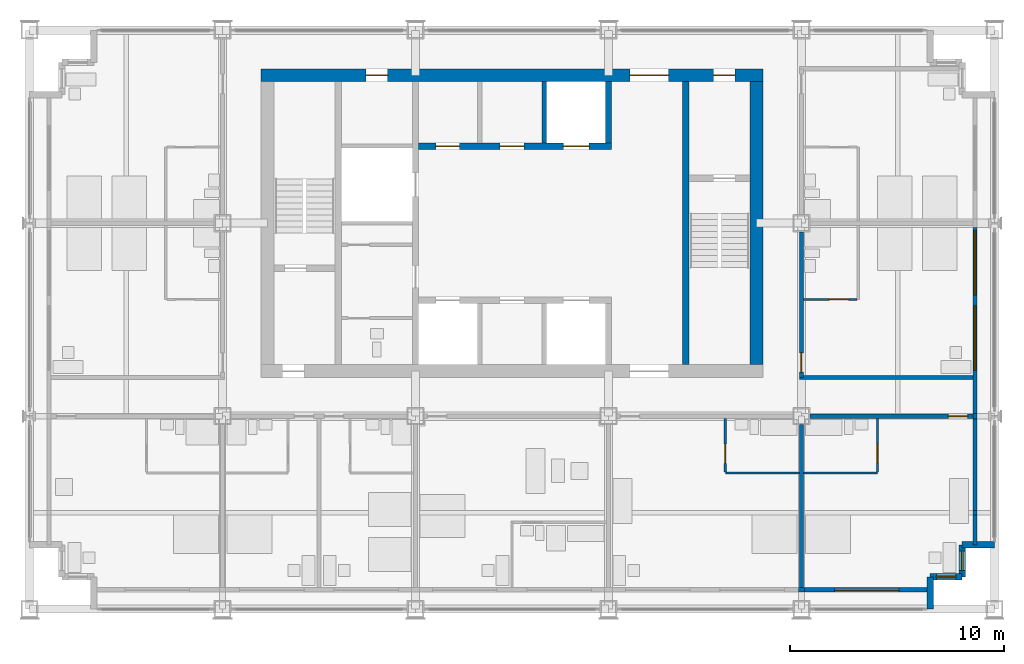
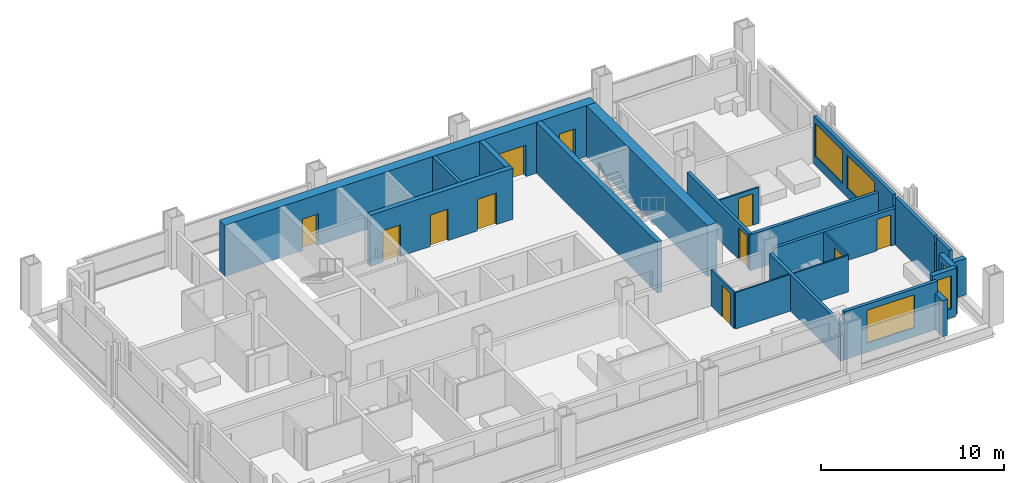
# One storey, part 9 of 13: 26 walls, 11 doors, 5 windows, 16 openings.
"""IFC4 building model written with IfcOpenShell, lengths in metres."""

from ifc_helpers import new_model, si_unit, direction, frame, frame_2d, origin, place, context, subcontext, project, spatial, rectangle, extrude, material, layer, layer_set, type_object, element, fill, save


model = new_model("IFC4")

# Units and contexts
model_context = context("Model", 3, precision=1e-05, world=origin(), true_north=direction((0.0, 1.0)))
body_context = subcontext(model_context, "Body", "Model", "MODEL_VIEW")
ifc_project = project(units=[si_unit("LENGTHUNIT", "METRE"), si_unit("AREAUNIT", "SQUARE_METRE"), si_unit("VOLUMEUNIT", "CUBIC_METRE"), si_unit("PLANEANGLEUNIT", "RADIAN"), si_unit("MASSUNIT", "GRAM", prefix="KILO")], contexts=[model_context])

# Site, building, storey
site_placement = place(None, origin())
site = spatial("IfcSite", under=ifc_project, at=site_placement, CompositionType="ELEMENT")
building_placement = place(site_placement, origin())
building = spatial("IfcBuilding", under=site, at=building_placement, Name="Loomwork Tower", CompositionType="ELEMENT")
storey_placement = place(building_placement, frame((0.0, 0.0, 184.199951171875)))
storey = spatial("IfcBuildingStorey", under=building, at=storey_placement, Name="L50", CompositionType="ELEMENT", Elevation=184.199951171875)

# Wall, openings, doors
ifc_material_1 = material(Name="Concrete 14000 psi (97 MPa)", Category="concrete")
ifc_layer_1 = layer(ifc_material_1, 0.300048828125)
ifc_layer_set_1 = layer_set([ifc_layer_1], Name="Core shear wall 300")
wall_type_1 = type_object("IfcWallType", Name="Core shear wall 300", PredefinedType="SHEAR", material=ifc_layer_set_1)
wall_1_placement = place(storey_placement, frame((18.14990234375, 21.60009765625, 0.0), z_axis=(0.0, 0.0, 1.0), x_axis=(1.0, 0.0, 0.0)))
wall_1 = element("IfcWall", 1, at=wall_1_placement, inside=storey, type_object=wall_type_1, Name="Lift front wall north L50", PredefinedType="SHEAR", context=body_context, shape_type="SweptSolid", body=[
    extrude(rectangle(XDim=9.0, YDim=0.300048828125, at=frame_2d((4.5, 0.0))), origin(), (0.0, 0.0, 1.0), 3.400146484375),
])
opening_1_placement = place(wall_1_placement, frame((6.75, 0.0, 0.0)))
opening_1 = element("IfcOpeningElement", 2, at=opening_1_placement, cuts=wall_1, Name="Opening LD2", PredefinedType="OPENING", context=body_context, shape_type="SweptSolid", body=[
    extrude(rectangle(XDim=1.199951171875, YDim=2.10009765625, at=frame_2d((0.60009765625, 1.050048828125))), frame((0.0, 0.159912109375, 0.0), z_axis=(0.0, -1.0, 0.0), x_axis=(1.0, 0.0, 0.0)), (0.0, 0.0, 1.0), 0.320068359375),
])
opening_2_placement = place(wall_1_placement, frame((0.800048828125, 0.0, 0.0)))
opening_2 = element("IfcOpeningElement", 3, at=opening_2_placement, cuts=wall_1, Name="Opening D17", PredefinedType="OPENING", context=body_context, shape_type="SweptSolid", body=[
    extrude(rectangle(XDim=1.10009765625, YDim=2.10009765625, at=frame_2d((0.550048828125, 1.050048828125))), frame((0.0, 0.159912109375, 0.0), z_axis=(0.0, -1.0, 0.0), x_axis=(1.0, 0.0, 0.0)), (0.0, 0.0, 1.0), 0.320068359375),
])
opening_3_placement = place(wall_1_placement, frame((3.800048828125, 0.0, 0.0)))
opening_3 = element("IfcOpeningElement", 4, at=opening_3_placement, cuts=wall_1, Name="Opening D17", PredefinedType="OPENING", context=body_context, shape_type="SweptSolid", body=[
    extrude(rectangle(XDim=1.10009765625, YDim=2.10009765625, at=frame_2d((0.550048828125, 1.050048828125))), frame((0.0, 0.159912109375, 0.0), z_axis=(0.0, -1.0, 0.0), x_axis=(1.0, 0.0, 0.0)), (0.0, 0.0, 1.0), 0.320068359375),
])
ifc_material_2 = material(Name="Hollow metal door and frame")
door_type_1 = type_object("IfcDoorType", Name="Lift landing door 1200", OperationType="SLIDING_TO_LEFT", PredefinedType="DOOR", material=ifc_material_2)
door_1_placement = place(opening_1_placement, origin())
door_1 = element("IfcDoor", 5, at=door_1_placement, inside=storey, type_object=door_type_1, Name="Lift landing door LF2", OperationType="SLIDING_TO_LEFT", OverallHeight=2.10009765625, OverallWidth=1.199951171875, PredefinedType="DOOR", context=body_context, shape_type="SweptSolid", body=[
    extrude(rectangle(XDim=1.199951171875, YDim=2.10009765625, at=frame_2d((0.60009765625, 1.050048828125))), frame((0.0, 0.02490234375, 0.0), z_axis=(0.0, -1.0, 0.0), x_axis=(1.0, 0.0, 0.0)), (0.0, 0.0, 1.0), 0.050048828125),
])
fill(opening_1, door_1)
ifc_material_3 = material(Name="Hollow metal door and frame")
door_type_2 = type_object("IfcDoorType", Name="Service room door 1100", OperationType="SINGLE_SWING_LEFT", PredefinedType="DOOR", material=ifc_material_3)
door_2_placement = place(opening_2_placement, origin())
door_2 = element("IfcDoor", 6, at=door_2_placement, inside=storey, type_object=door_type_2, Name="Linen and housekeeping store door L50", OperationType="SINGLE_SWING_LEFT", OverallHeight=2.10009765625, OverallWidth=1.10009765625, PredefinedType="DOOR", context=body_context, shape_type="SweptSolid", body=[
    extrude(rectangle(XDim=1.10009765625, YDim=2.10009765625, at=frame_2d((0.550048828125, 1.050048828125))), frame((0.0, 0.02490234375, 0.0), z_axis=(0.0, -1.0, 0.0), x_axis=(1.0, 0.0, 0.0)), (0.0, 0.0, 1.0), 0.050048828125),
])
fill(opening_2, door_2)
door_3_placement = place(opening_3_placement, origin())
door_3 = element("IfcDoor", 7, at=door_3_placement, inside=storey, type_object=door_type_2, Name="IT and communications room door L50", OperationType="SINGLE_SWING_LEFT", OverallHeight=2.10009765625, OverallWidth=1.10009765625, PredefinedType="DOOR", context=body_context, shape_type="SweptSolid", body=[
    extrude(rectangle(XDim=1.10009765625, YDim=2.10009765625, at=frame_2d((0.550048828125, 1.050048828125))), frame((0.0, 0.02490234375, 0.0), z_axis=(0.0, -1.0, 0.0), x_axis=(1.0, 0.0, 0.0)), (0.0, 0.0, 1.0), 0.050048828125),
])
fill(opening_3, door_3)

# Walls
wall_2_placement = place(storey_placement, frame((27.0, 21.75, 0.0), z_axis=(0.0, 0.0, 1.0), x_axis=(0.0, 1.0, 0.0)))
element("IfcWall", 8, at=wall_2_placement, inside=storey, type_object=wall_type_1, Name="Lift shaft end wall north L50", PredefinedType="SHEAR", context=body_context, shape_type="SweptSolid", body=[
    extrude(rectangle(XDim=2.85009765625, YDim=0.300048828125, at=frame_2d((1.425048828125, 0.0))), origin(), (0.0, 0.0, 1.0), 3.400146484375),
])
wall_3_placement = place(storey_placement, frame((30.60009765625, 11.39990234375, 0.0), z_axis=(0.0, 0.0, 1.0), x_axis=(0.0, 1.0, 0.0)))
element("IfcWall", 9, at=wall_3_placement, inside=storey, type_object=wall_type_1, Name="Stair B west wall L50", PredefinedType="SHEAR", context=body_context, shape_type="SweptSolid", body=[
    extrude(rectangle(XDim=13.2001953125, YDim=0.300048828125, at=frame_2d((6.60009765625, 0.0))), origin(), (0.0, 0.0, 1.0), 3.400146484375),
])

# Wall, openings, doors
ifc_material_4 = material(Name="Concrete 14000 psi (97 MPa)", Category="concrete")
ifc_layer_2 = layer(ifc_material_4, 0.60009765625)
ifc_layer_set_2 = layer_set([ifc_layer_2], Name="Core shear wall 600")
wall_type_2 = type_object("IfcWallType", Name="Core shear wall 600", PredefinedType="SHEAR", material=ifc_layer_set_2)
wall_4_placement = place(storey_placement, frame((10.800048828125, 24.89990234375, 0.0), z_axis=(0.0, 0.0, 1.0), x_axis=(1.0, 0.0, 0.0)))
wall_4 = element("IfcWall", 10, at=wall_4_placement, inside=storey, type_object=wall_type_2, Name="Core wall north L50", PredefinedType="SHEAR", context=body_context, shape_type="SweptSolid", body=[
    extrude(rectangle(XDim=23.39990234375, YDim=0.60009765625, at=frame_2d((11.699951171875, 0.0))), origin(), (0.0, 0.0, 1.0), 3.400146484375),
])
opening_4_placement = place(wall_4_placement, frame((17.199951171875, 0.0, 0.0)))
opening_4 = element("IfcOpeningElement", 11, at=opening_4_placement, cuts=wall_4, Name="Opening D6", PredefinedType="OPENING", context=body_context, shape_type="SweptSolid", body=[
    extrude(rectangle(XDim=1.800048828125, YDim=2.10009765625, at=frame_2d((0.89990234375, 1.050048828125))), frame((0.0, 0.31005859375, 0.0), z_axis=(0.0, -1.0, 0.0), x_axis=(1.0, 0.0, 0.0)), (0.0, 0.0, 1.0), 0.6201171875),
])
opening_5_placement = place(wall_4_placement, frame((21.10009765625, 0.0, 0.0)))
opening_5 = element("IfcOpeningElement", 12, at=opening_5_placement, cuts=wall_4, Name="Opening D4", PredefinedType="OPENING", context=body_context, shape_type="SweptSolid", body=[
    extrude(rectangle(XDim=1.0, YDim=2.10009765625, at=frame_2d((0.5, 1.050048828125))), frame((0.0, 0.31005859375, 0.0), z_axis=(0.0, -1.0, 0.0), x_axis=(1.0, 0.0, 0.0)), (0.0, 0.0, 1.0), 0.6201171875),
])
opening_6_placement = place(wall_4_placement, frame((4.89990234375, 0.0, 0.0)))
opening_6 = element("IfcOpeningElement", 13, at=opening_6_placement, cuts=wall_4, Name="Opening D5", PredefinedType="OPENING", context=body_context, shape_type="SweptSolid", body=[
    extrude(rectangle(XDim=1.0, YDim=2.10009765625, at=frame_2d((0.5, 1.050048828125))), frame((0.0, 0.31005859375, 0.0), z_axis=(0.0, -1.0, 0.0), x_axis=(1.0, 0.0, 0.0)), (0.0, 0.0, 1.0), 0.6201171875),
])
ifc_material_5 = material(Name="Hollow metal door and frame")
door_type_3 = type_object("IfcDoorType", Name="Lobby passage double door 1800", OperationType="DOUBLE_DOOR_SINGLE_SWING", PredefinedType="DOOR", material=ifc_material_5)
door_4_placement = place(opening_4_placement, frame((1.800048828125, 0.0, 0.0), z_axis=(0.0, 0.0, 1.0), x_axis=(-1.0, 0.0, 0.0)))
door_4 = element("IfcDoor", 14, at=door_4_placement, inside=storey, type_object=door_type_3, Name="Lobby passage door north", OperationType="DOUBLE_DOOR_SINGLE_SWING", OverallHeight=2.10009765625, OverallWidth=1.800048828125, PredefinedType="DOOR", context=body_context, shape_type="SweptSolid", body=[
    extrude(rectangle(XDim=1.800048828125, YDim=2.10009765625, at=frame_2d((0.89990234375, 1.050048828125))), frame((0.0, 0.02490234375, 0.0), z_axis=(0.0, -1.0, 0.0), x_axis=(1.0, 0.0, 0.0)), (0.0, 0.0, 1.0), 0.050048828125),
])
fill(opening_4, door_4)
ifc_material_6 = material(Name="Hollow metal door and frame")
door_type_4 = type_object("IfcDoorType", Name="Service door 1000", OperationType="SINGLE_SWING_LEFT", PredefinedType="DOOR", material=ifc_material_6)
door_5_placement = place(opening_6_placement, frame((1.0, 0.0, 0.0), z_axis=(0.0, 0.0, 1.0), x_axis=(-1.0, 0.0, 0.0)))
door_5 = element("IfcDoor", 15, at=door_5_placement, inside=storey, type_object=door_type_4, Name="Back-of-house door north", OperationType="SINGLE_SWING_LEFT", OverallHeight=2.10009765625, OverallWidth=1.0, PredefinedType="DOOR", context=body_context, shape_type="SweptSolid", body=[
    extrude(rectangle(XDim=1.0, YDim=2.10009765625, at=frame_2d((0.5, 1.050048828125))), frame((0.0, 0.02490234375, 0.0), z_axis=(0.0, -1.0, 0.0), x_axis=(1.0, 0.0, 0.0)), (0.0, 0.0, 1.0), 0.050048828125),
])
fill(opening_6, door_5)
ifc_material_7 = material(Name="Hollow metal door and frame")
door_type_5 = type_object("IfcDoorType", Name="Stair door 1000", OperationType="SINGLE_SWING_RIGHT", PredefinedType="DOOR", material=ifc_material_7)
door_6_placement = place(opening_5_placement, frame((1.0, 0.0, 0.0), z_axis=(0.0, 0.0, 1.0), x_axis=(-1.0, 0.0, 0.0)))
door_6 = element("IfcDoor", 16, at=door_6_placement, inside=storey, type_object=door_type_5, Name="Stair B vestibule door", OperationType="SINGLE_SWING_LEFT", OverallHeight=2.10009765625, OverallWidth=1.0, PredefinedType="DOOR", context=body_context, shape_type="SweptSolid", body=[
    extrude(rectangle(XDim=1.0, YDim=2.10009765625, at=frame_2d((0.5, 1.050048828125))), frame((0.0, 0.02490234375, 0.0), z_axis=(0.0, -1.0, 0.0), x_axis=(1.0, 0.0, 0.0)), (0.0, 0.0, 1.0), 0.050048828125),
])
fill(opening_5, door_6)

# Wall
wall_5_placement = place(storey_placement, frame((33.89990234375, 11.39990234375, 0.0), z_axis=(0.0, 0.0, 1.0), x_axis=(0.0, 1.0, 0.0)))
element("IfcWall", 17, at=wall_5_placement, inside=storey, type_object=wall_type_2, Name="Core wall east L50", PredefinedType="SHEAR", context=body_context, shape_type="SweptSolid", body=[
    extrude(rectangle(XDim=13.2001953125, YDim=0.60009765625, at=frame_2d((6.60009765625, 0.0))), origin(), (0.0, 0.0, 1.0), 3.400146484375),
])

# Wall, opening, door
ifc_material_8 = material(Name="Gypsum board on steel studs, one-hour", Category="steel")
ifc_layer_3 = layer(ifc_material_8, 0.199951171875)
ifc_layer_set_3 = layer_set([ifc_layer_3], Name="Corridor wall 200")
wall_type_3 = type_object("IfcWallType", Name="Corridor wall 200", PredefinedType="PARTITIONING", material=ifc_layer_set_3)
wall_6_placement = place(storey_placement, frame((36.39990234375, 9.0, 0.0), z_axis=(0.0, 0.0, 1.0), x_axis=(1.0, 0.0, 0.0)))
wall_6 = element("IfcWall", 18, at=wall_6_placement, inside=storey, type_object=wall_type_3, Name="South corridor wall 5", PredefinedType="PARTITIONING", context=body_context, shape_type="SweptSolid", body=[
    extrude(rectangle(XDim=7.60009765625, YDim=0.199951171875, at=frame_2d((3.800048828125, 0.0))), origin(), (0.0, 0.0, 1.0), 2.43798828125),
])
opening_7_placement = place(wall_6_placement, frame((6.449951171875, 0.0, 0.0)))
opening_7 = element("IfcOpeningElement", 19, at=opening_7_placement, cuts=wall_6, Name="Opening D1", PredefinedType="OPENING", context=body_context, shape_type="SweptSolid", body=[
    extrude(rectangle(XDim=0.89990234375, YDim=2.10009765625, at=frame_2d((0.449951171875, 1.050048828125))), frame((0.0, 0.10986328125, 0.0), z_axis=(0.0, -1.0, 0.0), x_axis=(1.0, 0.0, 0.0)), (0.0, 0.0, 1.0), 0.219970703125),
])
ifc_material_9 = material(Name="Hollow metal door and frame")
door_type_6 = type_object("IfcDoorType", Name="Guest room entry door 900", OperationType="SINGLE_SWING_LEFT", PredefinedType="DOOR", material=ifc_material_9)
door_7_placement = place(opening_7_placement, frame((0.89990234375, 0.0, 0.0), z_axis=(0.0, 0.0, 1.0), x_axis=(-1.0, 0.0, 0.0)))
door_7 = element("IfcDoor", 20, at=door_7_placement, inside=storey, type_object=door_type_6, Name="Guest room entry door L50 6", OperationType="SINGLE_SWING_LEFT", OverallHeight=2.10009765625, OverallWidth=0.89990234375, PredefinedType="DOOR", context=body_context, shape_type="SweptSolid", body=[
    extrude(rectangle(XDim=0.89990234375, YDim=2.10009765625, at=frame_2d((0.449951171875, 1.050048828125))), frame((0.0, 0.02490234375, 0.0), z_axis=(0.0, -1.0, 0.0), x_axis=(1.0, 0.0, 0.0)), (0.0, 0.0, 1.0), 0.050048828125),
])
fill(opening_7, door_7)

wall_7_placement = place(storey_placement, frame((36.0, 10.800048828125, 0.0), z_axis=(0.0, 0.0, 1.0), x_axis=(0.0, 1.0, 0.0)))
wall_7 = element("IfcWall", 21, at=wall_7_placement, inside=storey, type_object=wall_type_3, Name="East corridor wall 1", PredefinedType="PARTITIONING", context=body_context, shape_type="SweptSolid", body=[
    extrude(rectangle(XDim=6.800048828125, YDim=0.199951171875, at=frame_2d((3.39990234375, 0.0))), origin(), (0.0, 0.0, 1.0), 2.405029296875),
])
opening_8_placement = place(wall_7_placement, frame((0.25, 0.0, 0.0)))
opening_8 = element("IfcOpeningElement", 22, at=opening_8_placement, cuts=wall_7, Name="Opening D1", PredefinedType="OPENING", context=body_context, shape_type="SweptSolid", body=[
    extrude(rectangle(XDim=0.89990234375, YDim=2.10009765625, at=frame_2d((0.449951171875, 1.050048828125))), frame((0.0, 0.10986328125, 0.0), z_axis=(0.0, -1.0, 0.0), x_axis=(1.0, 0.0, 0.0)), (0.0, 0.0, 1.0), 0.219970703125),
])
door_8_placement = place(opening_8_placement, frame((0.89990234375, 0.0, 0.0), z_axis=(0.0, 0.0, 1.0), x_axis=(-1.0, 0.0, 0.0)))
door_8 = element("IfcDoor", 23, at=door_8_placement, inside=storey, type_object=door_type_6, Name="Guest room entry door L50 9", OperationType="SINGLE_SWING_RIGHT", OverallHeight=2.10009765625, OverallWidth=0.89990234375, PredefinedType="DOOR", context=body_context, shape_type="SweptSolid", body=[
    extrude(rectangle(XDim=0.89990234375, YDim=2.10009765625, at=frame_2d((0.449951171875, 1.050048828125))), frame((0.0, 0.02490234375, 0.0), z_axis=(0.0, -1.0, 0.0), x_axis=(1.0, 0.0, 0.0)), (0.0, 0.0, 1.0), 0.050048828125),
])
fill(opening_8, door_8)

# Walls
wall_8_placement = place(storey_placement, frame((35.89990234375, 10.800048828125, 0.0), z_axis=(0.0, 0.0, 1.0), x_axis=(1.0, 0.0, 0.0)))
element("IfcWall", 24, at=wall_8_placement, inside=storey, type_object=wall_type_3, Name="East band end wall S", PredefinedType="PARTITIONING", context=body_context, shape_type="SweptSolid", body=[
    extrude(rectangle(XDim=8.10009765625, YDim=0.199951171875, at=frame_2d((4.050048828125, 0.0))), origin(), (0.0, 0.0, 1.0), 2.404052734375),
])
ifc_material_10 = material(Name="Cement board on steel studs", Category="steel")
ifc_layer_4 = layer(ifc_material_10, 0.10009765625)
ifc_layer_set_4 = layer_set([ifc_layer_4], Name="En-suite partition 100")
wall_type_4 = type_object("IfcWallType", Name="En-suite partition 100", PredefinedType="PARTITIONING", material=ifc_layer_set_4)
wall_9_placement = place(storey_placement, frame((32.449951171875, 6.35009765625, 0.0), z_axis=(0.0, 0.0, 1.0), x_axis=(1.0, 0.0, 0.0)))
element("IfcWall", 25, at=wall_9_placement, inside=storey, type_object=wall_type_4, Name="En-suite wall L50 room 5", PredefinedType="PARTITIONING", context=body_context, shape_type="SweptSolid", body=[
    extrude(rectangle(XDim=3.449951171875, YDim=0.10009765625, at=frame_2d((1.72509765625, 0.0))), origin(), (0.0, 0.0, 1.0), 2.43798828125),
])

# Wall, opening, door
wall_10_placement = place(storey_placement, frame((32.449951171875, 8.89990234375, 0.0), z_axis=(0.0, 0.0, 1.0), x_axis=(0.0, -1.0, 0.0)))
wall_10 = element("IfcWall", 26, at=wall_10_placement, inside=storey, type_object=wall_type_4, Name="En-suite side wall L50 room 5", PredefinedType="PARTITIONING", context=body_context, shape_type="SweptSolid", body=[
    extrude(rectangle(XDim=2.5, YDim=0.10009765625, at=frame_2d((1.25, 0.0))), origin(), (0.0, 0.0, 1.0), 2.404052734375),
])
opening_9_placement = place(wall_10_placement, frame((1.199951171875, 0.0, 0.0)))
opening_9 = element("IfcOpeningElement", 27, at=opening_9_placement, cuts=wall_10, Name="Opening D2", PredefinedType="OPENING", context=body_context, shape_type="SweptSolid", body=[
    extrude(rectangle(XDim=0.89990234375, YDim=2.10009765625, at=frame_2d((0.449951171875, 1.050048828125))), frame((0.0, 0.06005859375, 0.0), z_axis=(0.0, -1.0, 0.0), x_axis=(1.0, 0.0, 0.0)), (0.0, 0.0, 1.0), 0.1201171875),
])
ifc_material_11 = material(Name="Hollow metal door and frame")
door_type_7 = type_object("IfcDoorType", Name="En-suite door 900", OperationType="SINGLE_SWING_LEFT", PredefinedType="DOOR", material=ifc_material_11)
door_9_placement = place(opening_9_placement, origin())
door_9 = element("IfcDoor", 28, at=door_9_placement, inside=storey, type_object=door_type_7, Name="En-suite door room 5", OperationType="SINGLE_SWING_RIGHT", OverallHeight=2.10009765625, OverallWidth=0.89990234375, PredefinedType="DOOR", context=body_context, shape_type="SweptSolid", body=[
    extrude(rectangle(XDim=0.89990234375, YDim=2.10009765625, at=frame_2d((0.449951171875, 1.050048828125))), frame((0.0, 0.02490234375, 0.0), z_axis=(0.0, -1.0, 0.0), x_axis=(1.0, 0.0, 0.0)), (0.0, 0.0, 1.0), 0.050048828125),
])
fill(opening_9, door_9)

# Wall
wall_11_placement = place(storey_placement, frame((36.10009765625, 6.35009765625, 0.0), z_axis=(0.0, 0.0, 1.0), x_axis=(1.0, 0.0, 0.0)))
element("IfcWall", 29, at=wall_11_placement, inside=storey, type_object=wall_type_4, Name="En-suite wall L50 room 6", PredefinedType="PARTITIONING", context=body_context, shape_type="SweptSolid", body=[
    extrude(rectangle(XDim=3.449951171875, YDim=0.10009765625, at=frame_2d((1.72509765625, 0.0))), origin(), (0.0, 0.0, 1.0), 2.43798828125),
])

# Wall, opening, door
wall_12_placement = place(storey_placement, frame((39.550048828125, 8.89990234375, 0.0), z_axis=(0.0, 0.0, 1.0), x_axis=(0.0, -1.0, 0.0)))
wall_12 = element("IfcWall", 30, at=wall_12_placement, inside=storey, type_object=wall_type_4, Name="En-suite side wall L50 room 6", PredefinedType="PARTITIONING", context=body_context, shape_type="SweptSolid", body=[
    extrude(rectangle(XDim=2.5, YDim=0.10009765625, at=frame_2d((1.25, 0.0))), origin(), (0.0, 0.0, 1.0), 2.43798828125),
])
opening_10_placement = place(wall_12_placement, frame((1.199951171875, 0.0, 0.0)))
opening_10 = element("IfcOpeningElement", 31, at=opening_10_placement, cuts=wall_12, Name="Opening D2", PredefinedType="OPENING", context=body_context, shape_type="SweptSolid", body=[
    extrude(rectangle(XDim=0.89990234375, YDim=2.10009765625, at=frame_2d((0.449951171875, 1.050048828125))), frame((0.0, 0.06005859375, 0.0), z_axis=(0.0, -1.0, 0.0), x_axis=(1.0, 0.0, 0.0)), (0.0, 0.0, 1.0), 0.1201171875),
])
door_10_placement = place(opening_10_placement, frame((0.89990234375, 0.0, 0.0), z_axis=(0.0, 0.0, 1.0), x_axis=(-1.0, 0.0, 0.0)))
door_10 = element("IfcDoor", 32, at=door_10_placement, inside=storey, type_object=door_type_7, Name="En-suite door room 6", OperationType="SINGLE_SWING_LEFT", OverallHeight=2.10009765625, OverallWidth=0.89990234375, PredefinedType="DOOR", context=body_context, shape_type="SweptSolid", body=[
    extrude(rectangle(XDim=0.89990234375, YDim=2.10009765625, at=frame_2d((0.449951171875, 1.050048828125))), frame((0.0, 0.02490234375, 0.0), z_axis=(0.0, -1.0, 0.0), x_axis=(1.0, 0.0, 0.0)), (0.0, 0.0, 1.0), 0.050048828125),
])
fill(opening_10, door_10)

wall_13_placement = place(storey_placement, frame((36.10009765625, 14.449951171875, 0.0), z_axis=(0.0, 0.0, 1.0), x_axis=(1.0, 0.0, 0.0)))
wall_13 = element("IfcWall", 33, at=wall_13_placement, inside=storey, type_object=wall_type_4, Name="En-suite side wall L50 room 9", PredefinedType="PARTITIONING", context=body_context, shape_type="SweptSolid", body=[
    extrude(rectangle(XDim=2.5, YDim=0.10009765625, at=frame_2d((1.25, 0.0))), origin(), (0.0, 0.0, 1.0), 2.404052734375),
])
opening_11_placement = place(wall_13_placement, frame((1.199951171875, 0.0, 0.0)))
opening_11 = element("IfcOpeningElement", 34, at=opening_11_placement, cuts=wall_13, Name="Opening D2", PredefinedType="OPENING", context=body_context, shape_type="SweptSolid", body=[
    extrude(rectangle(XDim=0.89990234375, YDim=2.10009765625, at=frame_2d((0.449951171875, 1.050048828125))), frame((0.0, 0.06005859375, 0.0), z_axis=(0.0, -1.0, 0.0), x_axis=(1.0, 0.0, 0.0)), (0.0, 0.0, 1.0), 0.1201171875),
])
door_11_placement = place(opening_11_placement, origin())
door_11 = element("IfcDoor", 35, at=door_11_placement, inside=storey, type_object=door_type_7, Name="En-suite door room 9", OperationType="SINGLE_SWING_RIGHT", OverallHeight=2.10009765625, OverallWidth=0.89990234375, PredefinedType="DOOR", context=body_context, shape_type="SweptSolid", body=[
    extrude(rectangle(XDim=0.89990234375, YDim=2.10009765625, at=frame_2d((0.449951171875, 1.050048828125))), frame((0.0, 0.02490234375, 0.0), z_axis=(0.0, -1.0, 0.0), x_axis=(1.0, 0.0, 0.0)), (0.0, 0.0, 1.0), 0.050048828125),
])
fill(opening_11, door_11)

# Walls
ifc_material_12 = material(Name="Gypsum board on steel studs, acoustic", Category="steel")
ifc_layer_5 = layer(ifc_material_12, 0.199951171875)
ifc_layer_set_5 = layer_set([ifc_layer_5], Name="Guest room party wall 200")
wall_type_5 = type_object("IfcWallType", Name="Guest room party wall 200", PredefinedType="PARTITIONING", material=ifc_layer_set_5)
wall_14_placement = place(storey_placement, frame((36.0, 8.60009765625, 0.0), z_axis=(0.0, 0.0, 1.0), x_axis=(0.0, -1.0, 0.0)))
element("IfcWall", 36, at=wall_14_placement, inside=storey, type_object=wall_type_5, Name="Guest room party wall S 36", PredefinedType="PARTITIONING", context=body_context, shape_type="SweptSolid", body=[
    extrude(rectangle(XDim=7.60009765625, YDim=0.199951171875, at=frame_2d((3.800048828125, 0.0))), origin(), (0.0, 0.0, 1.0), 2.43798828125),
])
ifc_material_13 = material(Name="Insulated steel stud wall with gypsum lining", Category="steel")
ifc_layer_6 = layer(ifc_material_13, 0.199951171875)
ifc_layer_set_6 = layer_set([ifc_layer_6], Name="Inner skin wall 200")
wall_type_6 = type_object("IfcWallType", Name="Inner skin wall 200", PredefinedType="SOLIDWALL", material=ifc_layer_set_6)
wall_15_placement = place(storey_placement, frame((44.10009765625, 3.0, 0.0), z_axis=(0.0, 0.0, 1.0), x_axis=(0.0, 1.0, 0.0)))
element("IfcWall", 37, at=wall_15_placement, inside=storey, type_object=wall_type_6, Name="Inner skin wall E", PredefinedType="SOLIDWALL", context=body_context, shape_type="SweptSolid", body=[
    extrude(rectangle(XDim=1.392578125, YDim=0.199951171875, at=frame_2d((0.6962890625, 0.0))), origin(), (0.0, 0.0, 1.0), 3.199951171875),
])
wall_16_placement = place(storey_placement, frame((35.864501953125, 0.89990234375, 0.0), z_axis=(0.0, 0.0, 1.0), x_axis=(1.0, 0.0, 0.0)))
element("IfcWall", 38, at=wall_16_placement, inside=storey, type_object=wall_type_6, Name="Inner skin wall S bay 8", PredefinedType="SOLIDWALL", context=body_context, shape_type="SweptSolid", body=[
    extrude(rectangle(XDim=0.27099609375, YDim=0.199951171875, at=frame_2d((0.135498046875, 0.0))), origin(), (0.0, 0.0, 1.0), 2.43798828125),
])

# Wall, opening, window
wall_17_placement = place(storey_placement, frame((36.135498046875, 0.89990234375, 0.0), z_axis=(0.0, 0.0, 1.0), x_axis=(1.0, 0.0, 0.0)))
wall_17 = element("IfcWall", 39, at=wall_17_placement, inside=storey, type_object=wall_type_6, Name="Inner skin wall S bay 9", PredefinedType="SOLIDWALL", context=body_context, shape_type="SweptSolid", body=[
    extrude(rectangle(XDim=5.864501953125, YDim=0.199951171875, at=frame_2d((2.93212890625, 0.0))), origin(), (0.0, 0.0, 1.0), 3.199951171875),
])
opening_12_placement = place(wall_17_placement, frame((1.41455078125, 0.0, 0.60009765625)))
opening_12 = element("IfcOpeningElement", 40, at=opening_12_placement, cuts=wall_17, Name="Opening CH1", PredefinedType="OPENING", context=body_context, shape_type="SweptSolid", body=[
    extrude(rectangle(XDim=3.0, YDim=2.199951171875, at=frame_2d((1.5, 1.10009765625))), frame((0.0, 0.10986328125, 0.0), z_axis=(0.0, -1.0, 0.0), x_axis=(1.0, 0.0, 0.0)), (0.0, 0.0, 1.0), 0.219970703125),
])
ifc_material_14 = material(Name="Aluminium frame with clear insulated glass", Category="aluminium")
window_type_1 = type_object("IfcWindowType", Name="Chicago window 3000", PartitioningType="TRIPLE_PANEL_VERTICAL", PredefinedType="WINDOW", material=ifc_material_14)
window_1_placement = place(opening_12_placement, origin())
window_1 = element("IfcWindow", 41, at=window_1_placement, inside=storey, type_object=window_type_1, Name="Chicago window L50 bay 5", OverallHeight=2.199951171875, OverallWidth=3.0, PartitioningType="TRIPLE_PANEL_VERTICAL", PredefinedType="WINDOW", context=body_context, shape_type="SweptSolid", body=[
    extrude(rectangle(XDim=3.0, YDim=2.199951171875, at=frame_2d((1.5, 1.10009765625))), frame((0.0, 0.030029296875, 0.0), z_axis=(0.0, -1.0, 0.0), x_axis=(1.0, 0.0, 0.0)), (0.0, 0.0, 1.0), 0.06005859375),
])
fill(opening_12, window_1)

# Walls
wall_18_placement = place(storey_placement, frame((44.10009765625, 4.392578125, 0.0), z_axis=(0.0, 0.0, 1.0), x_axis=(0.0, 1.0, 0.0)))
element("IfcWall", 42, at=wall_18_placement, inside=storey, type_object=wall_type_6, Name="Inner skin wall E bay 2", PredefinedType="SOLIDWALL", context=body_context, shape_type="SweptSolid", body=[
    extrude(rectangle(XDim=0.21484375, YDim=0.199951171875, at=frame_2d((0.107421875, 0.0))), origin(), (0.0, 0.0, 1.0), 2.6611328125),
])
wall_19_placement = place(storey_placement, frame((44.10009765625, 4.607421875, 0.0), z_axis=(0.0, 0.0, 1.0), x_axis=(0.0, 1.0, 0.0)))
element("IfcWall", 43, at=wall_19_placement, inside=storey, type_object=wall_type_6, Name="Inner skin wall E bay 3", PredefinedType="SOLIDWALL", context=body_context, shape_type="SweptSolid", body=[
    extrude(rectangle(XDim=4.25732421875, YDim=0.199951171875, at=frame_2d((2.128662109375, 0.0))), origin(), (0.0, 0.0, 1.0), 3.199951171875),
])
wall_20_placement = place(storey_placement, frame((44.10009765625, 8.86474609375, 0.0), z_axis=(0.0, 0.0, 1.0), x_axis=(0.0, 1.0, 0.0)))
element("IfcWall", 44, at=wall_20_placement, inside=storey, type_object=wall_type_6, Name="Inner skin wall E bay 4", PredefinedType="SOLIDWALL", context=body_context, shape_type="SweptSolid", body=[
    extrude(rectangle(XDim=0.2705078125, YDim=0.199951171875, at=frame_2d((0.13525390625, 0.0))), origin(), (0.0, 0.0, 1.0), 2.43798828125),
])

# Wall, openings, windows
wall_21_placement = place(storey_placement, frame((44.10009765625, 9.13525390625, 0.0), z_axis=(0.0, 0.0, 1.0), x_axis=(0.0, 1.0, 0.0)))
wall_21 = element("IfcWall", 45, at=wall_21_placement, inside=storey, type_object=wall_type_6, Name="Inner skin wall E bay 5", PredefinedType="SOLIDWALL", context=body_context, shape_type="SweptSolid", body=[
    extrude(rectangle(XDim=8.6708984375, YDim=0.199951171875, at=frame_2d((4.33544921875, 0.0))), origin(), (0.0, 0.0, 1.0), 3.199951171875),
])
opening_13_placement = place(wall_21_placement, frame((2.0146484375, 0.0, 0.60009765625)))
opening_13 = element("IfcOpeningElement", 46, at=opening_13_placement, cuts=wall_21, Name="Opening CH1", PredefinedType="OPENING", context=body_context, shape_type="SweptSolid", body=[
    extrude(rectangle(XDim=3.0, YDim=2.199951171875, at=frame_2d((1.5, 1.10009765625))), frame((0.0, 0.10986328125, 0.0), z_axis=(0.0, -1.0, 0.0), x_axis=(1.0, 0.0, 0.0)), (0.0, 0.0, 1.0), 0.219970703125),
])
opening_14_placement = place(wall_21_placement, frame((5.5146484375, 0.0, 0.60009765625)))
opening_14 = element("IfcOpeningElement", 47, at=opening_14_placement, cuts=wall_21, Name="Opening CH1", PredefinedType="OPENING", context=body_context, shape_type="SweptSolid", body=[
    extrude(rectangle(XDim=3.0, YDim=2.199951171875, at=frame_2d((1.5, 1.10009765625))), frame((0.0, 0.10986328125, 0.0), z_axis=(0.0, -1.0, 0.0), x_axis=(1.0, 0.0, 0.0)), (0.0, 0.0, 1.0), 0.219970703125),
])
window_2_placement = place(opening_13_placement, origin())
window_2 = element("IfcWindow", 48, at=window_2_placement, inside=storey, type_object=window_type_1, Name="Chicago window L50 bay 8", OverallHeight=2.199951171875, OverallWidth=3.0, PartitioningType="TRIPLE_PANEL_VERTICAL", PredefinedType="WINDOW", context=body_context, shape_type="SweptSolid", body=[
    extrude(rectangle(XDim=3.0, YDim=2.199951171875, at=frame_2d((1.5, 1.10009765625))), frame((0.0, 0.030029296875, 0.0), z_axis=(0.0, -1.0, 0.0), x_axis=(1.0, 0.0, 0.0)), (0.0, 0.0, 1.0), 0.06005859375),
])
fill(opening_13, window_2)
window_3_placement = place(opening_14_placement, origin())
window_3 = element("IfcWindow", 49, at=window_3_placement, inside=storey, type_object=window_type_1, Name="Chicago window L50 bay 8", OverallHeight=2.199951171875, OverallWidth=3.0, PartitioningType="TRIPLE_PANEL_VERTICAL", PredefinedType="WINDOW", context=body_context, shape_type="SweptSolid", body=[
    extrude(rectangle(XDim=3.0, YDim=2.199951171875, at=frame_2d((1.5, 1.10009765625))), frame((0.0, 0.030029296875, 0.0), z_axis=(0.0, -1.0, 0.0), x_axis=(1.0, 0.0, 0.0)), (0.0, 0.0, 1.0), 0.06005859375),
])
fill(opening_14, window_3)

# Walls
ifc_material_15 = material(Name="Concrete 14000 psi (97 MPa)", Category="concrete")
ifc_layer_7 = layer(ifc_material_15, 0.199951171875)
ifc_layer_set_7 = layer_set([ifc_layer_7], Name="Lift shaft wall 200")
wall_type_7 = type_object("IfcWallType", Name="Lift shaft wall 200", PredefinedType="SHEAR", material=ifc_layer_set_7)
wall_22_placement = place(storey_placement, frame((24.0, 21.75, 0.0), z_axis=(0.0, 0.0, 1.0), x_axis=(0.0, 1.0, 0.0)))
element("IfcWall", 50, at=wall_22_placement, inside=storey, type_object=wall_type_7, Name="Lift shaft separation wall north 2 L50", PredefinedType="SHEAR", context=body_context, shape_type="SweptSolid", body=[
    extrude(rectangle(XDim=2.85009765625, YDim=0.199951171875, at=frame_2d((1.425048828125, 0.0))), origin(), (0.0, 0.0, 1.0), 3.400146484375),
])
ifc_material_16 = material(Name="Limestone on concrete masonry", Category="masonry")
ifc_layer_8 = layer(ifc_material_16, 0.300048828125)
ifc_layer_set_8 = layer_set([ifc_layer_8], Name="Limestone corner wall 300")
wall_type_8 = type_object("IfcWallType", Name="Limestone corner wall 300", PredefinedType="SOLIDWALL", material=ifc_layer_set_8)
wall_23_placement = place(storey_placement, frame((42.0, 0.0, 0.0), z_axis=(0.0, 0.0, 1.0), x_axis=(0.0, 1.0, 0.0)))
element("IfcWall", 51, at=wall_23_placement, inside=storey, type_object=wall_type_8, Name="Stone corner wall SE 1", PredefinedType="SOLIDWALL", context=body_context, shape_type="SweptSolid", body=[
    extrude(rectangle(XDim=1.5, YDim=0.300048828125, at=frame_2d((0.75, 0.0))), origin(), (0.0, 0.0, 1.0), 2.420166015625),
])

# Wall, opening, window
wall_24_placement = place(storey_placement, frame((42.0, 1.5, 0.0), z_axis=(0.0, 0.0, 1.0), x_axis=(1.0, 0.0, 0.0)))
wall_24 = element("IfcWall", 52, at=wall_24_placement, inside=storey, type_object=wall_type_8, Name="Stone corner wall SE 2", PredefinedType="SOLIDWALL", context=body_context, shape_type="SweptSolid", body=[
    extrude(rectangle(XDim=1.5, YDim=0.300048828125, at=frame_2d((0.75, 0.0))), origin(), (0.0, 0.0, 1.0), 3.199951171875),
])
opening_15_placement = place(wall_24_placement, frame((0.300048828125, 0.0, 0.60009765625)))
opening_15 = element("IfcOpeningElement", 53, at=opening_15_placement, cuts=wall_24, Name="Opening CH2", PredefinedType="OPENING", context=body_context, shape_type="SweptSolid", body=[
    extrude(rectangle(XDim=0.89990234375, YDim=2.199951171875, at=frame_2d((0.449951171875, 1.10009765625))), frame((0.0, 0.159912109375, 0.0), z_axis=(0.0, -1.0, 0.0), x_axis=(1.0, 0.0, 0.0)), (0.0, 0.0, 1.0), 0.320068359375),
])
ifc_material_17 = material(Name="Aluminium frame with clear insulated glass", Category="aluminium")
window_type_2 = type_object("IfcWindowType", Name="Corner window 900", PartitioningType="SINGLE_PANEL", PredefinedType="WINDOW", material=ifc_material_17)
window_4_placement = place(opening_15_placement, origin())
window_4 = element("IfcWindow", 54, at=window_4_placement, inside=storey, type_object=window_type_2, Name="Corner window SE", OverallHeight=2.199951171875, OverallWidth=0.89990234375, PartitioningType="SINGLE_PANEL", PredefinedType="WINDOW", context=body_context, shape_type="SweptSolid", body=[
    extrude(rectangle(XDim=0.89990234375, YDim=2.199951171875, at=frame_2d((0.449951171875, 1.10009765625))), frame((0.0, 0.030029296875, 0.0), z_axis=(0.0, -1.0, 0.0), x_axis=(1.0, 0.0, 0.0)), (0.0, 0.0, 1.0), 0.06005859375),
])
fill(opening_15, window_4)

wall_25_placement = place(storey_placement, frame((43.5, 1.5, 0.0), z_axis=(0.0, 0.0, 1.0), x_axis=(0.0, 1.0, 0.0)))
wall_25 = element("IfcWall", 55, at=wall_25_placement, inside=storey, type_object=wall_type_8, Name="Stone corner wall SE 3", PredefinedType="SOLIDWALL", context=body_context, shape_type="SweptSolid", body=[
    extrude(rectangle(XDim=1.5, YDim=0.300048828125, at=frame_2d((0.75, 0.0))), origin(), (0.0, 0.0, 1.0), 3.199951171875),
])
opening_16_placement = place(wall_25_placement, frame((0.300048828125, 0.0, 0.60009765625)))
opening_16 = element("IfcOpeningElement", 56, at=opening_16_placement, cuts=wall_25, Name="Opening CH2", PredefinedType="OPENING", context=body_context, shape_type="SweptSolid", body=[
    extrude(rectangle(XDim=0.89990234375, YDim=2.199951171875, at=frame_2d((0.449951171875, 1.10009765625))), frame((0.0, 0.159912109375, 0.0), z_axis=(0.0, -1.0, 0.0), x_axis=(1.0, 0.0, 0.0)), (0.0, 0.0, 1.0), 0.320068359375),
])
window_5_placement = place(opening_16_placement, origin())
window_5 = element("IfcWindow", 57, at=window_5_placement, inside=storey, type_object=window_type_2, Name="Corner window SE", OverallHeight=2.199951171875, OverallWidth=0.89990234375, PartitioningType="SINGLE_PANEL", PredefinedType="WINDOW", context=body_context, shape_type="SweptSolid", body=[
    extrude(rectangle(XDim=0.89990234375, YDim=2.199951171875, at=frame_2d((0.449951171875, 1.10009765625))), frame((0.0, 0.030029296875, 0.0), z_axis=(0.0, -1.0, 0.0), x_axis=(1.0, 0.0, 0.0)), (0.0, 0.0, 1.0), 0.06005859375),
])
fill(opening_16, window_5)

# Wall
wall_26_placement = place(storey_placement, frame((43.5, 3.0, 0.0), z_axis=(0.0, 0.0, 1.0), x_axis=(1.0, 0.0, 0.0)))
element("IfcWall", 58, at=wall_26_placement, inside=storey, type_object=wall_type_8, Name="Stone corner wall SE 4", PredefinedType="SOLIDWALL", context=body_context, shape_type="SweptSolid", body=[
    extrude(rectangle(XDim=1.5, YDim=0.300048828125, at=frame_2d((0.75, 0.0))), origin(), (0.0, 0.0, 1.0), 2.420166015625),
])

save(model, "model.ifc")
